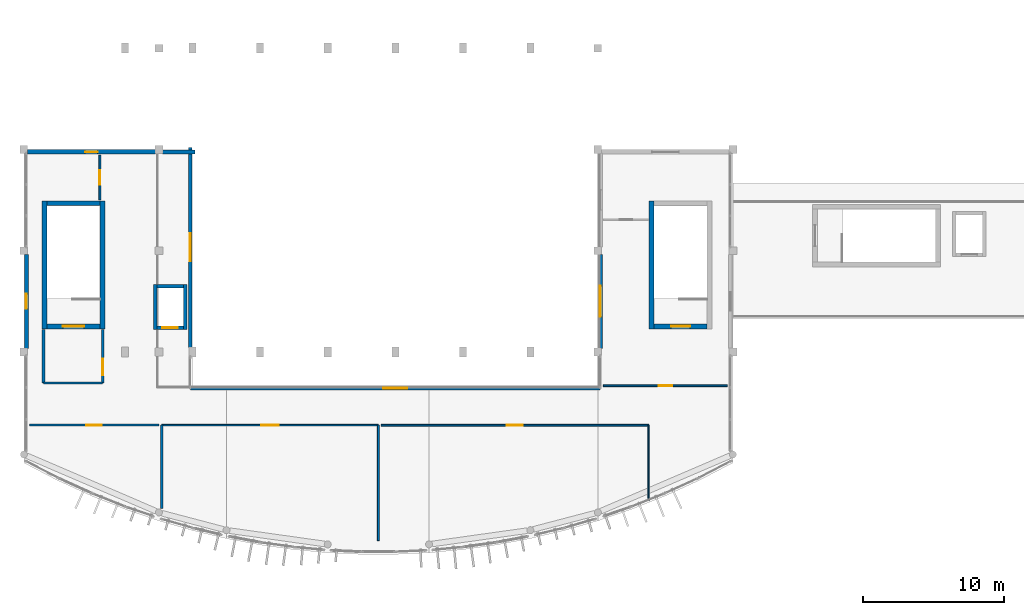
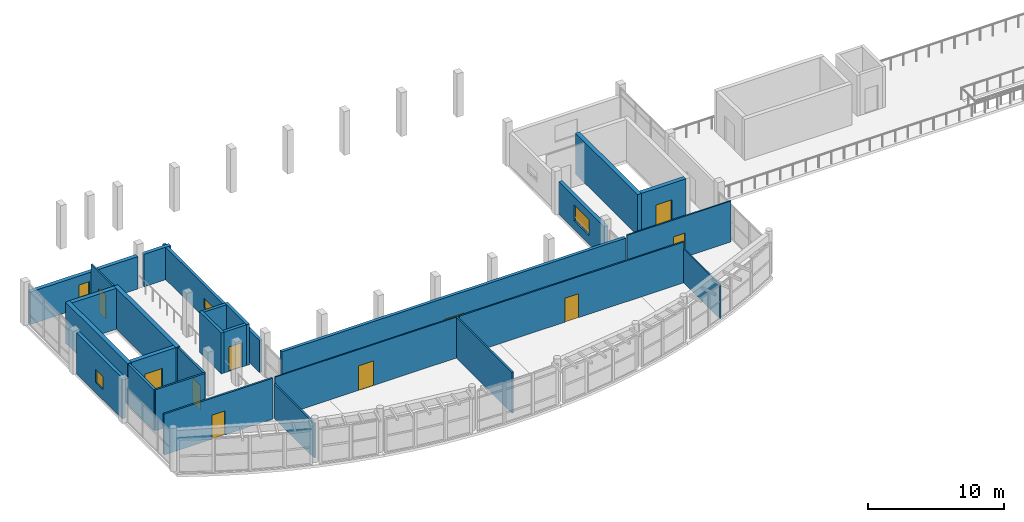
# One storey, part 20 of 32: 27 walls, 9 doors, 5 windows, 14 openings.
"""IFC4 building model written with IfcOpenShell, lengths in metres."""

from ifc_helpers import new_model, si_unit, direction, frame, frame_2d, origin, place, context, subcontext, project, spatial, rectangle, extrude, material, layer, layer_set, type_object, element, fill, save


model = new_model("IFC4")

# Units and contexts
model_context = context("Model", 3, precision=1e-05, world=origin(), true_north=direction((0.0, 1.0)))
body_context = subcontext(model_context, "Body", "Model", "MODEL_VIEW")
ifc_project = project(units=[si_unit("LENGTHUNIT", "METRE"), si_unit("AREAUNIT", "SQUARE_METRE"), si_unit("VOLUMEUNIT", "CUBIC_METRE"), si_unit("PLANEANGLEUNIT", "RADIAN"), si_unit("MASSUNIT", "GRAM", prefix="KILO")], contexts=[model_context])

# Site, building, storey
site_placement = place(None, origin())
site = spatial("IfcSite", under=ifc_project, at=site_placement, CompositionType="ELEMENT")
building_placement = place(site_placement, origin())
building = spatial("IfcBuilding", under=site, at=building_placement, Name="Brisavento Harbour Community Centre", CompositionType="ELEMENT")
storey_placement = place(building_placement, frame((0.0, 0.0, 12.89990234375)))
storey = spatial("IfcBuildingStorey", under=building, at=storey_placement, Name="L03", CompositionType="ELEMENT", Elevation=12.89990234375)

# Walls
ifc_material_1 = material(Name="Concrete C40/50", Category="concrete")
ifc_layer_1 = layer(ifc_material_1, 0.35009765625, Name="Concrete C40/50")
ifc_layer_set_1 = layer_set([ifc_layer_1], Name="Concrete C40/50")
wall_type_1 = type_object("IfcWallType", Name="WL-CORE-350", PredefinedType="SHEAR", material=ifc_layer_set_1)
for number, where, z_axis, x_axis, name in (
    (1, (5.574951171875, 16.050048828125, 0.0), (0.0, 0.0, 1.0), (0.0, 1.0, 0.0), "L03 core C1 shear wall L"),
    (2, (1.47509765625, 25.14990234375, 0.0), (0.0, 0.0, 1.0), (0.0, -1.0, 0.0), "L03 core C1 shear wall R"),
):
    element("IfcWall", number, at=place(storey_placement, frame(where, z_axis=z_axis, x_axis=x_axis)), inside=storey, type_object=wall_type_1, Name=name, PredefinedType="SHEAR", context=body_context, shape_type="SweptSolid", body=[
        extrude(rectangle(XDim=9.099853515625, YDim=0.35009765625, at=frame_2d((4.5498046875, 0.0))), origin(), (0.0, 0.0, 1.0), 3.66015625),
    ])
wall_1_placement = place(storey_placement, frame((5.39990234375, 24.97509765625, 0.0), z_axis=(0.0, 0.0, 1.0), x_axis=(-1.0, 0.0, 0.0)))
element("IfcWall", 3, at=wall_1_placement, inside=storey, type_object=wall_type_1, Name="L03 core C1 shear wall F", PredefinedType="SHEAR", context=body_context, shape_type="SweptSolid", body=[
    extrude(rectangle(XDim=3.75, YDim=0.35009765625, at=frame_2d((1.875, 0.0))), origin(), (0.0, 0.0, 1.0), 3.66015625),
])

# Wall, opening, door
wall_2_placement = place(storey_placement, frame((1.64990234375, 16.22509765625, 0.0), z_axis=(0.0, 0.0, 1.0), x_axis=(1.0, 0.0, 0.0)))
wall_2 = element("IfcWall", 4, at=wall_2_placement, inside=storey, type_object=wall_type_1, Name="L03 core C1 shear wall N", PredefinedType="SHEAR", context=body_context, shape_type="SweptSolid", body=[
    extrude(rectangle(XDim=3.75, YDim=0.35009765625, at=frame_2d((1.875, 0.0))), origin(), (0.0, 0.0, 1.0), 3.66015625),
])
opening_1_placement = place(wall_2_placement, frame((1.125, 0.0, 0.0)))
opening_1 = element("IfcOpeningElement", 5, at=opening_1_placement, cuts=wall_2, Name="Opening SD-01", PredefinedType="OPENING", context=body_context, shape_type="SweptSolid", body=[
    extrude(rectangle(XDim=1.5, YDim=2.199951171875, at=frame_2d((0.75, 1.10009765625))), frame((0.0, 0.18505859375, 0.0), z_axis=(0.0, -1.0, 0.0), x_axis=(1.0, 0.0, 0.0)), (0.0, 0.0, 1.0), 0.3701171875),
])
ifc_material_2 = material(Name="Fire-rated steel door assembly", Category="steel")
door_type_1 = type_object("IfcDoorType", Name="DR-STAIR-150x220", OperationType="NOTDEFINED", PredefinedType="DOOR", material=ifc_material_2)
door_1_placement = place(opening_1_placement, origin())
door_1 = element("IfcDoor", 6, at=door_1_placement, inside=storey, type_object=door_type_1, Name="L03 exit stair ST-01 fire door", OperationType="SINGLE_SWING_RIGHT", OverallHeight=2.199951171875, OverallWidth=1.5, PredefinedType="DOOR", context=body_context, shape_type="SweptSolid", body=[
    extrude(rectangle(XDim=1.5, YDim=2.199951171875, at=frame_2d((0.75, 1.10009765625))), frame((0.0, 0.02490234375, 0.0), z_axis=(0.0, -1.0, 0.0), x_axis=(1.0, 0.0, 0.0)), (0.0, 0.0, 1.0), 0.050048828125),
])
fill(opening_1, door_1)

# Wall
wall_3_placement = place(storey_placement, frame((44.625, 25.14990234375, 0.0), z_axis=(0.0, 0.0, 1.0), x_axis=(0.0, -1.0, 0.0)))
element("IfcWall", 7, at=wall_3_placement, inside=storey, type_object=wall_type_1, Name="L03 core C1B shear wall R", PredefinedType="SHEAR", context=body_context, shape_type="SweptSolid", body=[
    extrude(rectangle(XDim=9.099853515625, YDim=0.35009765625, at=frame_2d((4.5498046875, 0.0))), origin(), (0.0, 0.0, 1.0), 3.66015625),
])

# Wall, opening, door
wall_4_placement = place(storey_placement, frame((44.800048828125, 16.22509765625, 0.0), z_axis=(0.0, 0.0, 1.0), x_axis=(1.0, 0.0, 0.0)))
wall_4 = element("IfcWall", 8, at=wall_4_placement, inside=storey, type_object=wall_type_1, Name="L03 core C1B shear wall N", PredefinedType="SHEAR", context=body_context, shape_type="SweptSolid", body=[
    extrude(rectangle(XDim=3.75, YDim=0.35009765625, at=frame_2d((1.875, 0.0))), origin(), (0.0, 0.0, 1.0), 3.66015625),
])
opening_2_placement = place(wall_4_placement, frame((1.199951171875, 0.0, 0.0)))
opening_2 = element("IfcOpeningElement", 9, at=opening_2_placement, cuts=wall_4, Name="Opening SD-02", PredefinedType="OPENING", context=body_context, shape_type="SweptSolid", body=[
    extrude(rectangle(XDim=1.35009765625, YDim=2.199951171875, at=frame_2d((0.675048828125, 1.10009765625))), frame((0.0, 0.18505859375, 0.0), z_axis=(0.0, -1.0, 0.0), x_axis=(1.0, 0.0, 0.0)), (0.0, 0.0, 1.0), 0.3701171875),
])
door_type_2 = type_object("IfcDoorType", Name="DR-STAIR-135x220", OperationType="NOTDEFINED", PredefinedType="DOOR", material=ifc_material_2)
door_2_placement = place(opening_2_placement, origin())
door_2 = element("IfcDoor", 10, at=door_2_placement, inside=storey, type_object=door_type_2, Name="L03 exit stair ST-02 fire door", OperationType="SINGLE_SWING_LEFT", OverallHeight=2.199951171875, OverallWidth=1.35009765625, PredefinedType="DOOR", context=body_context, shape_type="SweptSolid", body=[
    extrude(rectangle(XDim=1.35009765625, YDim=2.199951171875, at=frame_2d((0.675048828125, 1.10009765625))), frame((0.0, 0.02490234375, 0.0), z_axis=(0.0, -1.0, 0.0), x_axis=(1.0, 0.0, 0.0)), (0.0, 0.0, 1.0), 0.050048828125),
])
fill(opening_2, door_2)

# Wall, opening, window
ifc_material_3 = material(Name="Terracotta masonry unit", Category="masonry")
ifc_layer_2 = layer(ifc_material_3, 0.239990234375, Name="Terracotta masonry unit")
ifc_layer_set_2 = layer_set([ifc_layer_2], Name="Terracotta masonry unit")
wall_type_2 = type_object("IfcWallType", Name="WL-EXT-240", PredefinedType="SOLIDWALL", material=ifc_layer_set_2)
wall_5_placement = place(storey_placement, frame((11.820068359375, 28.949951171875, 0.0), z_axis=(0.0, 0.0, 1.0), x_axis=(0.0, -1.0, 0.0)))
wall_5 = element("IfcWall", 11, at=wall_5_placement, inside=storey, type_object=wall_type_2, Name="L03 V1 exterior wall 0268", PredefinedType="SOLIDWALL", context=body_context, shape_type="SweptSolid", body=[
    extrude(rectangle(XDim=14.21484375, YDim=0.239990234375, at=frame_2d((7.107421875, 0.0))), origin(), (0.0, 0.0, 1.0), 2.900146484375),
])
opening_3_placement = place(wall_5_placement, frame((6.107421875, 0.0, 0.89990234375)))
opening_3 = element("IfcOpeningElement", 12, at=opening_3_placement, cuts=wall_5, Name="Opening W-36", PredefinedType="OPENING", context=body_context, shape_type="SweptSolid", body=[
    extrude(rectangle(XDim=2.0, YDim=0.85009765625, at=frame_2d((1.0, 0.425048828125))), frame((0.0, 0.1298828125, 0.0), z_axis=(0.0, -1.0, 0.0), x_axis=(1.0, 0.0, 0.0)), (0.0, 0.0, 1.0), 0.260009765625),
])
ifc_material_4 = material(Name="Solar-control laminated low-E glass", Category="glass")
window_type_1 = type_object("IfcWindowType", Name="WIN-CAS-36", PartitioningType="SINGLE_PANEL", PredefinedType="WINDOW", material=ifc_material_4)
window_1_placement = place(opening_3_placement, origin())
window_1 = element("IfcWindow", 13, at=window_1_placement, inside=storey, type_object=window_type_1, Name="L03 V1 impact casement window 0144", OverallHeight=0.85009765625, OverallWidth=2.0, PartitioningType="SINGLE_PANEL", PredefinedType="WINDOW", context=body_context, shape_type="SweptSolid", body=[
    extrude(rectangle(XDim=2.0, YDim=0.85009765625, at=frame_2d((1.0, 0.425048828125))), frame((0.0, 0.030029296875, 0.0), z_axis=(0.0, -1.0, 0.0), x_axis=(1.0, 0.0, 0.0)), (0.0, 0.0, 1.0), 0.06005859375),
])
fill(opening_3, window_1)

ifc_layer_3 = layer(ifc_material_3, 0.260009765625, Name="Terracotta masonry unit")
ifc_layer_set_3 = layer_set([ifc_layer_3], Name="Terracotta masonry unit")
wall_type_3 = type_object("IfcWallType", Name="WL-EXT-260", PredefinedType="SOLIDWALL", material=ifc_layer_set_3)
wall_6_placement = place(storey_placement, frame((11.85009765625, 11.820068359375, 0.0), z_axis=(0.0, 0.0, 1.0), x_axis=(1.0, 0.0, 0.0)))
wall_6 = element("IfcWall", 14, at=wall_6_placement, inside=storey, type_object=wall_type_3, Name="L03 V1 exterior wall 0267", PredefinedType="SOLIDWALL", context=body_context, shape_type="SweptSolid", body=[
    extrude(rectangle(XDim=29.099853515625, YDim=0.260009765625, at=frame_2d((14.5498046875, 0.0))), origin(), (0.0, 0.0, 1.0), 3.66015625),
])
opening_4_placement = place(wall_6_placement, frame((13.699951171875, 0.0, 0.89990234375)))
opening_4 = element("IfcOpeningElement", 15, at=opening_4_placement, cuts=wall_6, Name="Opening W-35", PredefinedType="OPENING", context=body_context, shape_type="SweptSolid", body=[
    extrude(rectangle(XDim=1.699951171875, YDim=0.85009765625, at=frame_2d((0.85009765625, 0.425048828125))), frame((0.0, 0.14013671875, 0.0), z_axis=(0.0, -1.0, 0.0), x_axis=(1.0, 0.0, 0.0)), (0.0, 0.0, 1.0), 0.280029296875),
])
window_type_2 = type_object("IfcWindowType", Name="WIN-CAS-35", PartitioningType="SINGLE_PANEL", PredefinedType="WINDOW", material=ifc_material_4)
window_2_placement = place(opening_4_placement, origin())
window_2 = element("IfcWindow", 16, at=window_2_placement, inside=storey, type_object=window_type_2, Name="L03 V1 impact casement window 0143", OverallHeight=0.85009765625, OverallWidth=1.699951171875, PartitioningType="SINGLE_PANEL", PredefinedType="WINDOW", context=body_context, shape_type="SweptSolid", body=[
    extrude(rectangle(XDim=1.699951171875, YDim=0.85009765625, at=frame_2d((0.85009765625, 0.425048828125))), frame((0.0, 0.030029296875, 0.0), z_axis=(0.0, -1.0, 0.0), x_axis=(1.0, 0.0, 0.0)), (0.0, 0.0, 1.0), 0.06005859375),
])
fill(opening_4, window_2)

ifc_material_5 = material(Name="Precast concrete C40/50", Category="concrete")
ifc_layer_4 = layer(ifc_material_5, 0.280029296875, Name="Precast concrete C40/50")
ifc_layer_set_4 = layer_set([ifc_layer_4], Name="Precast concrete C40/50")
wall_type_4 = type_object("IfcWallType", Name="WL-EXT-280", PredefinedType="SOLIDWALL", material=ifc_layer_set_4)
wall_7_placement = place(storey_placement, frame((0.179931640625, 14.659912109375, 0.0), z_axis=(0.0, 0.0, 1.0), x_axis=(0.0, 1.0, 0.0)))
wall_7 = element("IfcWall", 17, at=wall_7_placement, inside=storey, type_object=wall_type_4, Name="L03 V1 exterior wall 0271", PredefinedType="SOLIDWALL", context=body_context, shape_type="SweptSolid", body=[
    extrude(rectangle(XDim=6.68017578125, YDim=0.280029296875, at=frame_2d((3.340087890625, 0.0))), origin(), (0.0, 0.0, 1.0), 3.66015625),
])
opening_5_placement = place(wall_7_placement, frame((2.81494140625, 0.0, 0.89990234375)))
opening_5 = element("IfcOpeningElement", 18, at=opening_5_placement, cuts=wall_7, Name="Opening W-02", PredefinedType="OPENING", context=body_context, shape_type="SweptSolid", body=[
    extrude(rectangle(XDim=1.050048828125, YDim=1.199951171875, at=frame_2d((0.52490234375, 0.60009765625))), frame((0.0, 0.14990234375, 0.0), z_axis=(0.0, -1.0, 0.0), x_axis=(1.0, 0.0, 0.0)), (0.0, 0.0, 1.0), 0.300048828125),
])
window_type_3 = type_object("IfcWindowType", Name="WIN-CAS-02", PartitioningType="SINGLE_PANEL", PredefinedType="WINDOW", material=ifc_material_4)
window_3_placement = place(opening_5_placement, origin())
window_3 = element("IfcWindow", 19, at=window_3_placement, inside=storey, type_object=window_type_3, Name="L03 V1 impact casement window 0146", OverallHeight=1.199951171875, OverallWidth=1.050048828125, PartitioningType="SINGLE_PANEL", PredefinedType="WINDOW", context=body_context, shape_type="SweptSolid", body=[
    extrude(rectangle(XDim=1.050048828125, YDim=1.199951171875, at=frame_2d((0.52490234375, 0.60009765625))), frame((0.0, 0.030029296875, 0.0), z_axis=(0.0, -1.0, 0.0), x_axis=(1.0, 0.0, 0.0)), (0.0, 0.0, 1.0), 0.06005859375),
])
fill(opening_5, window_3)

ifc_material_6 = material(Name="Concrete C35/45", Category="concrete")
ifc_layer_5 = layer(ifc_material_6, 0.300048828125, Name="Concrete C35/45")
ifc_layer_set_5 = layer_set([ifc_layer_5], Name="Concrete C35/45")
wall_type_5 = type_object("IfcWallType", Name="WL-EXT-300", PredefinedType="SOLIDWALL", material=ifc_layer_set_5)
wall_8_placement = place(storey_placement, frame((40.97998046875, 14.659912109375, 0.0), z_axis=(0.0, 0.0, 1.0), x_axis=(0.0, 1.0, 0.0)))
wall_8 = element("IfcWall", 20, at=wall_8_placement, inside=storey, type_object=wall_type_5, Name="L03 V1 exterior wall 0265", PredefinedType="SOLIDWALL", context=body_context, shape_type="SweptSolid", body=[
    extrude(rectangle(XDim=6.68017578125, YDim=0.300048828125, at=frame_2d((3.340087890625, 0.0))), origin(), (0.0, 0.0, 1.0), 2.900146484375),
])
opening_6_placement = place(wall_8_placement, frame((2.239990234375, 0.0, 0.75)))
opening_6 = element("IfcOpeningElement", 21, at=opening_6_placement, cuts=wall_8, Name="Opening W-33", PredefinedType="OPENING", context=body_context, shape_type="SweptSolid", body=[
    extrude(rectangle(XDim=2.199951171875, YDim=1.449951171875, at=frame_2d((1.10009765625, 0.72509765625))), frame((0.0, 0.16015625, 0.0), z_axis=(0.0, -1.0, 0.0), x_axis=(1.0, 0.0, 0.0)), (0.0, 0.0, 1.0), 0.320068359375),
])
window_type_4 = type_object("IfcWindowType", Name="WIN-CAS-33", PartitioningType="SINGLE_PANEL", PredefinedType="WINDOW", material=ifc_material_4)
window_4_placement = place(opening_6_placement, origin())
window_4 = element("IfcWindow", 22, at=window_4_placement, inside=storey, type_object=window_type_4, Name="L03 V1 impact casement window 0141", OverallHeight=1.449951171875, OverallWidth=2.199951171875, PartitioningType="SINGLE_PANEL", PredefinedType="WINDOW", context=body_context, shape_type="SweptSolid", body=[
    extrude(rectangle(XDim=2.199951171875, YDim=1.449951171875, at=frame_2d((1.10009765625, 0.72509765625))), frame((0.0, 0.030029296875, 0.0), z_axis=(0.0, -1.0, 0.0), x_axis=(1.0, 0.0, 0.0)), (0.0, 0.0, 1.0), 0.06005859375),
])
fill(opening_6, window_4)

# Wall
wall_9_placement = place(storey_placement, frame((9.860107421875, 28.6201171875, 0.0), z_axis=(0.0, 0.0, 1.0), x_axis=(1.0, 0.0, 0.0)))
element("IfcWall", 23, at=wall_9_placement, inside=storey, type_object=wall_type_5, Name="L03 V1 exterior wall 0270", PredefinedType="SOLIDWALL", context=body_context, shape_type="SweptSolid", body=[
    extrude(rectangle(XDim=2.289794921875, YDim=0.300048828125, at=frame_2d((1.14501953125, 0.0))), origin(), (0.0, 0.0, 1.0), 2.900146484375),
])

# Wall, opening, window
ifc_layer_6 = layer(ifc_material_6, 0.320068359375, Name="Concrete C35/45")
ifc_layer_set_6 = layer_set([ifc_layer_6], Name="Concrete C35/45")
wall_type_6 = type_object("IfcWallType", Name="WL-EXT-320", PredefinedType="SOLIDWALL", material=ifc_layer_set_6)
wall_10_placement = place(storey_placement, frame((0.260009765625, 28.6201171875, 0.0), z_axis=(0.0, 0.0, 1.0), x_axis=(1.0, 0.0, 0.0)))
wall_10 = element("IfcWall", 24, at=wall_10_placement, inside=storey, type_object=wall_type_6, Name="L03 V1 exterior wall 0269", PredefinedType="SOLIDWALL", context=body_context, shape_type="SweptSolid", body=[
    extrude(rectangle(XDim=9.080078125, YDim=0.320068359375, at=frame_2d((4.5400390625, 0.0))), origin(), (0.0, 0.0, 1.0), 2.900146484375),
])
opening_7_placement = place(wall_10_placement, frame((4.090087890625, 0.0, 0.89990234375)))
opening_7 = element("IfcOpeningElement", 25, at=opening_7_placement, cuts=wall_10, Name="Opening W-01", PredefinedType="OPENING", context=body_context, shape_type="SweptSolid", body=[
    extrude(rectangle(XDim=0.89990234375, YDim=1.199951171875, at=frame_2d((0.449951171875, 0.60009765625))), frame((0.0, 0.169921875, 0.0), z_axis=(0.0, -1.0, 0.0), x_axis=(1.0, 0.0, 0.0)), (0.0, 0.0, 1.0), 0.340087890625),
])
window_type_5 = type_object("IfcWindowType", Name="WIN-CAS-01", PartitioningType="SINGLE_PANEL", PredefinedType="WINDOW", material=ifc_material_4)
window_5_placement = place(opening_7_placement, origin())
window_5 = element("IfcWindow", 26, at=window_5_placement, inside=storey, type_object=window_type_5, Name="L03 V1 impact casement window 0145", OverallHeight=1.199951171875, OverallWidth=0.89990234375, PartitioningType="SINGLE_PANEL", PredefinedType="WINDOW", context=body_context, shape_type="SweptSolid", body=[
    extrude(rectangle(XDim=0.89990234375, YDim=1.199951171875, at=frame_2d((0.449951171875, 0.60009765625))), frame((0.0, 0.030029296875, 0.0), z_axis=(0.0, -1.0, 0.0), x_axis=(1.0, 0.0, 0.0)), (0.0, 0.0, 1.0), 0.06005859375),
])
fill(opening_7, window_5)

# Wall
ifc_material_7 = material(Name="Concrete masonry blockwork", Category="masonry")
ifc_layer_7 = layer(ifc_material_7, 0.199951171875, Name="Concrete masonry blockwork")
ifc_layer_set_7 = layer_set([ifc_layer_7], Name="Concrete masonry blockwork")
wall_type_7 = type_object("IfcWallType", Name="WL-FIR-200", PredefinedType="PARTITIONING", material=ifc_layer_set_7)
wall_11_placement = place(storey_placement, frame((1.39990234375, 15.989990234375, 0.0), z_axis=(0.0, 0.0, 1.0), x_axis=(0.0, -1.0, 0.0)))
element("IfcWall", 27, at=wall_11_placement, inside=storey, type_object=wall_type_7, Name="L03 Firefighting Lobby L03 partition 0246", PredefinedType="PARTITIONING", context=body_context, shape_type="SweptSolid", body=[
    extrude(rectangle(XDim=3.7900390625, YDim=0.199951171875, at=frame_2d((1.89501953125, 0.0))), origin(), (0.0, 0.0, 1.0), 3.66015625),
])

# Wall, opening, door
ifc_material_8 = material(Name="Lightweight stud partition", Category="other")
ifc_layer_8 = layer(ifc_material_8, 0.10009765625, Name="Lightweight stud partition")
ifc_layer_set_8 = layer_set([ifc_layer_8], Name="Lightweight stud partition")
wall_type_8 = type_object("IfcWallType", Name="WL-PRT-100", PredefinedType="PARTITIONING", material=ifc_layer_set_8)
wall_12_placement = place(storey_placement, frame((25.199951171875, 9.199951171875, 0.0), z_axis=(0.0, 0.0, 1.0), x_axis=(-1.0, 0.0, 0.0)))
wall_12 = element("IfcWall", 28, at=wall_12_placement, inside=storey, type_object=wall_type_8, Name="L03 Community Clubroom 301 partition 0247", PredefinedType="PARTITIONING", context=body_context, shape_type="SweptSolid", body=[
    extrude(rectangle(XDim=15.39990234375, YDim=0.10009765625, at=frame_2d((7.699951171875, 0.0))), origin(), (0.0, 0.0, 1.0), 3.66015625),
])
opening_8_placement = place(wall_12_placement, frame((7.074951171875, 0.0, 0.0)))
opening_8 = element("IfcOpeningElement", 29, at=opening_8_placement, cuts=wall_12, Name="Opening ID-06", PredefinedType="OPENING", context=body_context, shape_type="SweptSolid", body=[
    extrude(rectangle(XDim=1.25, YDim=2.199951171875, at=frame_2d((0.625, 1.10009765625))), frame((0.0, 0.06005859375, 0.0), z_axis=(0.0, -1.0, 0.0), x_axis=(1.0, 0.0, 0.0)), (0.0, 0.0, 1.0), 0.1201171875),
])
ifc_material_9 = material(Name="Solid-core tropical timber door", Category="wood")
door_type_3 = type_object("IfcDoorType", Name="DR-INT-125x220", OperationType="NOTDEFINED", PredefinedType="DOOR", material=ifc_material_9)
door_3_placement = place(opening_8_placement, origin())
door_3 = element("IfcDoor", 30, at=door_3_placement, inside=storey, type_object=door_type_3, Name="L03 Community Clubroom 301 door 0094", OperationType="SINGLE_SWING_LEFT", OverallHeight=2.199951171875, OverallWidth=1.25, PredefinedType="DOOR", context=body_context, shape_type="SweptSolid", body=[
    extrude(rectangle(XDim=1.25, YDim=2.199951171875, at=frame_2d((0.625, 1.10009765625))), frame((0.0, 0.02490234375, 0.0), z_axis=(0.0, -1.0, 0.0), x_axis=(1.0, 0.0, 0.0)), (0.0, 0.0, 1.0), 0.050048828125),
])
fill(opening_8, door_3)

# Wall
wall_13_placement = place(storey_placement, frame((44.39990234375, 3.84228515625, 0.0), z_axis=(0.0, 0.0, 1.0), x_axis=(0.0, 1.0, 0.0)))
element("IfcWall", 31, at=wall_13_placement, inside=storey, type_object=wall_type_8, Name="L03 Harbour Terrace Lounge West partition 0251", PredefinedType="PARTITIONING", context=body_context, shape_type="SweptSolid", body=[
    extrude(rectangle(XDim=5.357666015625, YDim=0.10009765625, at=frame_2d((2.6787109375, 0.0))), origin(), (0.0, 0.0, 1.0), 3.06005859375),
])

# Wall, opening, door
ifc_material_10 = material(Name="Gypsum metal-stud partition", Category="other")
ifc_layer_9 = layer(ifc_material_10, 0.1201171875, Name="Gypsum metal-stud partition")
ifc_layer_set_9 = layer_set([ifc_layer_9], Name="Gypsum metal-stud partition")
wall_type_9 = type_object("IfcWallType", Name="WL-PRT-120", PredefinedType="PARTITIONING", material=ifc_layer_set_9)
wall_14_placement = place(storey_placement, frame((44.39990234375, 9.199951171875, 0.0), z_axis=(0.0, 0.0, 1.0), x_axis=(-1.0, 0.0, 0.0)))
wall_14 = element("IfcWall", 32, at=wall_14_placement, inside=storey, type_object=wall_type_9, Name="L03 Harbour Terrace Lounge West partition 0250", PredefinedType="PARTITIONING", context=body_context, shape_type="SweptSolid", body=[
    extrude(rectangle(XDim=19.0, YDim=0.1201171875, at=frame_2d((9.5, 0.0))), origin(), (0.0, 0.0, 1.0), 3.66015625),
])
opening_9_placement = place(wall_14_placement, frame((8.925048828125, 0.0, 0.0)))
opening_9 = element("IfcOpeningElement", 33, at=opening_9_placement, cuts=wall_14, Name="Opening ID-07", PredefinedType="OPENING", context=body_context, shape_type="SweptSolid", body=[
    extrude(rectangle(XDim=1.14990234375, YDim=2.14990234375, at=frame_2d((0.574951171875, 1.074951171875))), frame((0.0, 0.070068359375, 0.0), z_axis=(0.0, -1.0, 0.0), x_axis=(1.0, 0.0, 0.0)), (0.0, 0.0, 1.0), 0.14013671875),
])
door_type_4 = type_object("IfcDoorType", Name="DR-INT-115x215", OperationType="NOTDEFINED", PredefinedType="DOOR", material=ifc_material_9)
door_4_placement = place(opening_9_placement, origin())
door_4 = element("IfcDoor", 34, at=door_4_placement, inside=storey, type_object=door_type_4, Name="L03 Harbour Terrace Lounge West door 0095", OperationType="SINGLE_SWING_RIGHT", OverallHeight=2.14990234375, OverallWidth=1.14990234375, PredefinedType="DOOR", context=body_context, shape_type="SweptSolid", body=[
    extrude(rectangle(XDim=1.14990234375, YDim=2.14990234375, at=frame_2d((0.574951171875, 1.074951171875))), frame((0.0, 0.02490234375, 0.0), z_axis=(0.0, -1.0, 0.0), x_axis=(1.0, 0.0, 0.0)), (0.0, 0.0, 1.0), 0.050048828125),
])
fill(opening_9, door_4)

wall_15_placement = place(storey_placement, frame((41.199951171875, 12.0, 0.0), z_axis=(0.0, 0.0, 1.0), x_axis=(1.0, 0.0, 0.0)))
wall_15 = element("IfcWall", 35, at=wall_15_placement, inside=storey, type_object=wall_type_9, Name="L03 Senior Citizens Day Lounge partition 0254", PredefinedType="PARTITIONING", context=body_context, shape_type="SweptSolid", body=[
    extrude(rectangle(XDim=8.800048828125, YDim=0.1201171875, at=frame_2d((4.39990234375, 0.0))), origin(), (0.0, 0.0, 1.0), 3.66015625),
])
opening_10_placement = place(wall_15_placement, frame((3.925048828125, 0.0, 0.0)))
opening_10 = element("IfcOpeningElement", 36, at=opening_10_placement, cuts=wall_15, Name="Opening ID-10", PredefinedType="OPENING", context=body_context, shape_type="SweptSolid", body=[
    extrude(rectangle(XDim=0.949951171875, YDim=2.14990234375, at=frame_2d((0.47509765625, 1.074951171875))), frame((0.0, 0.070068359375, 0.0), z_axis=(0.0, -1.0, 0.0), x_axis=(1.0, 0.0, 0.0)), (0.0, 0.0, 1.0), 0.14013671875),
])
door_type_5 = type_object("IfcDoorType", Name="DR-INT-095x215", OperationType="NOTDEFINED", PredefinedType="DOOR", material=ifc_material_9)
door_5_placement = place(opening_10_placement, origin())
door_5 = element("IfcDoor", 37, at=door_5_placement, inside=storey, type_object=door_type_5, Name="L03 Senior Citizens Day Lounge door 0098", OperationType="SINGLE_SWING_LEFT", OverallHeight=2.14990234375, OverallWidth=0.949951171875, PredefinedType="DOOR", context=body_context, shape_type="SweptSolid", body=[
    extrude(rectangle(XDim=0.949951171875, YDim=2.14990234375, at=frame_2d((0.47509765625, 1.074951171875))), frame((0.0, 0.02490234375, 0.0), z_axis=(0.0, -1.0, 0.0), x_axis=(1.0, 0.0, 0.0)), (0.0, 0.0, 1.0), 0.050048828125),
])
fill(opening_10, door_5)

# Wall
ifc_layer_10 = layer(ifc_material_10, 0.139892578125, Name="Gypsum metal-stud partition")
ifc_layer_set_10 = layer_set([ifc_layer_10], Name="Gypsum metal-stud partition")
wall_type_10 = type_object("IfcWallType", Name="WL-PRT-140", PredefinedType="PARTITIONING", material=ifc_layer_set_10)
wall_16_placement = place(storey_placement, frame((25.199951171875, 1.0, 0.0), z_axis=(0.0, 0.0, 1.0), x_axis=(0.0, 1.0, 0.0)))
element("IfcWall", 38, at=wall_16_placement, inside=storey, type_object=wall_type_10, Name="L03 Community Clubroom 301 partition 0249", PredefinedType="PARTITIONING", context=body_context, shape_type="SweptSolid", body=[
    extrude(rectangle(XDim=8.199951171875, YDim=0.139892578125, at=frame_2d((4.10009765625, 0.0))), origin(), (0.0, 0.0, 1.0), 3.66015625),
])

# Wall, opening, door
wall_17_placement = place(storey_placement, frame((5.39990234375, 25.2099609375, 0.0), z_axis=(0.0, 0.0, 1.0), x_axis=(0.0, 1.0, 0.0)))
wall_17 = element("IfcWall", 39, at=wall_17_placement, inside=storey, type_object=wall_type_10, Name="L03 Social Services Advisory Room partition 0253", PredefinedType="PARTITIONING", context=body_context, shape_type="SweptSolid", body=[
    extrude(rectangle(XDim=3.18994140625, YDim=0.139892578125, at=frame_2d((1.594970703125, 0.0))), origin(), (0.0, 0.0, 1.0), 3.66015625),
])
opening_11_placement = place(wall_17_placement, frame((1.094970703125, 0.0, 0.0)))
opening_11 = element("IfcOpeningElement", 40, at=opening_11_placement, cuts=wall_17, Name="Opening ID-09", PredefinedType="OPENING", context=body_context, shape_type="SweptSolid", body=[
    extrude(rectangle(XDim=1.0, YDim=2.14990234375, at=frame_2d((0.5, 1.074951171875))), frame((0.0, 0.080078125, 0.0), z_axis=(0.0, -1.0, 0.0), x_axis=(1.0, 0.0, 0.0)), (0.0, 0.0, 1.0), 0.159912109375),
])
door_type_6 = type_object("IfcDoorType", Name="DR-INT-100x215", OperationType="NOTDEFINED", PredefinedType="DOOR", material=ifc_material_9)
door_6_placement = place(opening_11_placement, origin())
door_6 = element("IfcDoor", 41, at=door_6_placement, inside=storey, type_object=door_type_6, Name="L03 Social Services Advisory Room door 0097", OperationType="SINGLE_SWING_RIGHT", OverallHeight=2.14990234375, OverallWidth=1.0, PredefinedType="DOOR", context=body_context, shape_type="SweptSolid", body=[
    extrude(rectangle(XDim=1.0, YDim=2.14990234375, at=frame_2d((0.5, 1.074951171875))), frame((0.0, 0.02490234375, 0.0), z_axis=(0.0, -1.0, 0.0), x_axis=(1.0, 0.0, 0.0)), (0.0, 0.0, 1.0), 0.050048828125),
])
fill(opening_11, door_6)

# Wall
ifc_material_11 = material(Name="Moisture-resistant stud partition", Category="other")
ifc_layer_11 = layer(ifc_material_11, 0.14990234375, Name="Moisture-resistant stud partition")
ifc_layer_set_11 = layer_set([ifc_layer_11], Name="Moisture-resistant stud partition")
wall_type_11 = type_object("IfcWallType", Name="WL-PRT-150", PredefinedType="PARTITIONING", material=ifc_layer_set_11)
wall_18_placement = place(storey_placement, frame((9.800048828125, 9.199951171875, 0.0), z_axis=(0.0, 0.0, 1.0), x_axis=(0.0, -1.0, 0.0)))
element("IfcWall", 42, at=wall_18_placement, inside=storey, type_object=wall_type_11, Name="L03 Community Clubroom 301 partition 0248", PredefinedType="PARTITIONING", context=body_context, shape_type="SweptSolid", body=[
    extrude(rectangle(XDim=5.914794921875, YDim=0.14990234375, at=frame_2d((2.95751953125, 0.0))), origin(), (0.0, 0.0, 1.0), 3.06005859375),
])

# Wall, opening, door
wall_19_placement = place(storey_placement, frame((9.60009765625, 9.199951171875, 0.0), z_axis=(0.0, 0.0, 1.0), x_axis=(-1.0, 0.0, 0.0)))
wall_19 = element("IfcWall", 43, at=wall_19_placement, inside=storey, type_object=wall_type_11, Name="L03 Neighbourhood Reading Salon West partition 0252", PredefinedType="PARTITIONING", context=body_context, shape_type="SweptSolid", body=[
    extrude(rectangle(XDim=9.2001953125, YDim=0.14990234375, at=frame_2d((4.60009765625, 0.0))), origin(), (0.0, 0.0, 1.0), 3.66015625),
])
opening_12_placement = place(wall_19_placement, frame((4.050048828125, 0.0, 0.0)))
opening_12 = element("IfcOpeningElement", 44, at=opening_12_placement, cuts=wall_19, Name="Opening ID-08", PredefinedType="OPENING", context=body_context, shape_type="SweptSolid", body=[
    extrude(rectangle(XDim=1.10009765625, YDim=2.14990234375, at=frame_2d((0.550048828125, 1.074951171875))), frame((0.0, 0.0849609375, 0.0), z_axis=(0.0, -1.0, 0.0), x_axis=(1.0, 0.0, 0.0)), (0.0, 0.0, 1.0), 0.169921875),
])
door_type_7 = type_object("IfcDoorType", Name="DR-INT-110x215", OperationType="NOTDEFINED", PredefinedType="DOOR", material=ifc_material_9)
door_7_placement = place(opening_12_placement, origin())
door_7 = element("IfcDoor", 45, at=door_7_placement, inside=storey, type_object=door_type_7, Name="L03 Neighbourhood Reading Salon West door 0096", OperationType="SINGLE_SWING_LEFT", OverallHeight=2.14990234375, OverallWidth=1.10009765625, PredefinedType="DOOR", context=body_context, shape_type="SweptSolid", body=[
    extrude(rectangle(XDim=1.10009765625, YDim=2.14990234375, at=frame_2d((0.550048828125, 1.074951171875))), frame((0.0, 0.02490234375, 0.0), z_axis=(0.0, -1.0, 0.0), x_axis=(1.0, 0.0, 0.0)), (0.0, 0.0, 1.0), 0.050048828125),
])
fill(opening_12, door_7)

# Wall
ifc_material_12 = material(Name="Acoustic gypsum stud partition", Category="other")
ifc_layer_12 = layer(ifc_material_12, 0.159912109375, Name="Acoustic gypsum stud partition")
ifc_layer_set_12 = layer_set([ifc_layer_12], Name="Acoustic gypsum stud partition")
wall_type_12 = type_object("IfcWallType", Name="WL-PRT-160", PredefinedType="PARTITIONING", material=ifc_layer_set_12)
wall_20_placement = place(storey_placement, frame((1.39990234375, 12.199951171875, 0.0), z_axis=(0.0, 0.0, 1.0), x_axis=(1.0, 0.0, 0.0)))
element("IfcWall", 46, at=wall_20_placement, inside=storey, type_object=wall_type_12, Name="L03 Firefighting Lobby L03 partition 0245", PredefinedType="PARTITIONING", context=body_context, shape_type="SweptSolid", body=[
    extrude(rectangle(XDim=4.2001953125, YDim=0.159912109375, at=frame_2d((2.10009765625, 0.0))), origin(), (0.0, 0.0, 1.0), 3.66015625),
])

# Wall, opening, door
ifc_layer_13 = layer(ifc_material_12, 0.179931640625, Name="Acoustic gypsum stud partition")
ifc_layer_set_13 = layer_set([ifc_layer_13], Name="Acoustic gypsum stud partition")
wall_type_13 = type_object("IfcWallType", Name="WL-PRT-180", PredefinedType="PARTITIONING", material=ifc_layer_set_13)
wall_21_placement = place(storey_placement, frame((5.60009765625, 12.199951171875, 0.0), z_axis=(0.0, 0.0, 1.0), x_axis=(0.0, 1.0, 0.0)))
wall_21 = element("IfcWall", 47, at=wall_21_placement, inside=storey, type_object=wall_type_13, Name="L03 Firefighting Lobby L03 partition 0244", PredefinedType="PARTITIONING", context=body_context, shape_type="SweptSolid", body=[
    extrude(rectangle(XDim=3.7900390625, YDim=0.179931640625, at=frame_2d((1.89501953125, 0.0))), origin(), (0.0, 0.0, 1.0), 3.66015625),
])
opening_13_placement = place(wall_21_placement, frame((0.537109375, 0.0, 0.0)))
opening_13 = element("IfcOpeningElement", 48, at=opening_13_placement, cuts=wall_21, Name="Opening FD-01", PredefinedType="OPENING", context=body_context, shape_type="SweptSolid", body=[
    extrude(rectangle(XDim=1.199951171875, YDim=2.199951171875, at=frame_2d((0.60009765625, 1.10009765625))), frame((0.0, 0.10009765625, 0.0), z_axis=(0.0, -1.0, 0.0), x_axis=(1.0, 0.0, 0.0)), (0.0, 0.0, 1.0), 0.199951171875),
])
ifc_material_13 = material(Name="Fire-rated hardwood door", Category="wood")
door_type_8 = type_object("IfcDoorType", Name="DR-FIRE-120x220", OperationType="NOTDEFINED", PredefinedType="DOOR", material=ifc_material_13)
door_8_placement = place(opening_13_placement, origin())
door_8 = element("IfcDoor", 49, at=door_8_placement, inside=storey, type_object=door_type_8, Name="L03 Firefighting Lobby L03 door 0093", OperationType="SINGLE_SWING_RIGHT", OverallHeight=2.199951171875, OverallWidth=1.199951171875, PredefinedType="DOOR", context=body_context, shape_type="SweptSolid", body=[
    extrude(rectangle(XDim=1.199951171875, YDim=2.199951171875, at=frame_2d((0.60009765625, 1.10009765625))), frame((0.0, 0.02490234375, 0.0), z_axis=(0.0, -1.0, 0.0), x_axis=(1.0, 0.0, 0.0)), (0.0, 0.0, 1.0), 0.050048828125),
])
fill(opening_13, door_8)

# Walls
ifc_layer_14 = layer(ifc_material_6, 0.25, Name="Concrete C35/45")
ifc_layer_set_14 = layer_set([ifc_layer_14], Name="Concrete C35/45")
wall_type_14 = type_object("IfcWallType", Name="WL-SHF-250", PredefinedType="SOLIDWALL", material=ifc_layer_set_14)
for number, where, z_axis, x_axis, name in (
    (50, (9.324951171875, 16.0, 0.0), (0.0, 0.0, 1.0), (0.0, 1.0, 0.0), "L03 lift LC-01 shaft wall W"),
    (51, (11.47509765625, 19.199951171875, 0.0), (0.0, 0.0, 1.0), (0.0, -1.0, 0.0), "L03 lift LC-01 shaft wall E"),
):
    element("IfcWall", number, at=place(storey_placement, frame(where, z_axis=z_axis, x_axis=x_axis)), inside=storey, type_object=wall_type_14, Name=name, PredefinedType="SOLIDWALL", context=body_context, shape_type="SweptSolid", body=[
        extrude(rectangle(XDim=3.199951171875, YDim=0.25, at=frame_2d((1.60009765625, 0.0))), origin(), (0.0, 0.0, 1.0), 3.66015625),
    ])

# Wall, opening, door
wall_22_placement = place(storey_placement, frame((9.449951171875, 16.125, 0.0), z_axis=(0.0, 0.0, 1.0), x_axis=(1.0, 0.0, 0.0)))
wall_22 = element("IfcWall", 52, at=wall_22_placement, inside=storey, type_object=wall_type_14, Name="L03 lift LC-01 shaft wall S", PredefinedType="SOLIDWALL", context=body_context, shape_type="SweptSolid", body=[
    extrude(rectangle(XDim=1.900146484375, YDim=0.25, at=frame_2d((0.9501953125, 0.0))), origin(), (0.0, 0.0, 1.0), 3.66015625),
])
opening_14_placement = place(wall_22_placement, frame((0.39990234375, 0.0, 0.0)))
opening_14 = element("IfcOpeningElement", 53, at=opening_14_placement, cuts=wall_22, Name="Opening LD-01", PredefinedType="OPENING", context=body_context, shape_type="SweptSolid", body=[
    extrude(rectangle(XDim=1.10009765625, YDim=2.199951171875, at=frame_2d((0.550048828125, 1.10009765625))), frame((0.0, 0.135009765625, 0.0), z_axis=(0.0, -1.0, 0.0), x_axis=(1.0, 0.0, 0.0)), (0.0, 0.0, 1.0), 0.27001953125),
])
ifc_material_14 = material(Name="Stainless steel 1.4401", Category="steel")
door_type_9 = type_object("IfcDoorType", Name="DR-LIFT-110x220", OperationType="DOUBLE_DOOR_SLIDING", PredefinedType="DOOR", material=ifc_material_14)
door_9_placement = place(opening_14_placement, origin())
door_9 = element("IfcDoor", 54, at=door_9_placement, inside=storey, type_object=door_type_9, Name="L03 lift LC-01 landing sliding door", OperationType="DOUBLE_DOOR_SLIDING", OverallHeight=2.199951171875, OverallWidth=1.10009765625, PredefinedType="DOOR", context=body_context, shape_type="SweptSolid", body=[
    extrude(rectangle(XDim=1.10009765625, YDim=2.199951171875, at=frame_2d((0.550048828125, 1.10009765625))), frame((0.0, 0.02490234375, 0.0), z_axis=(0.0, -1.0, 0.0), x_axis=(1.0, 0.0, 0.0)), (0.0, 0.0, 1.0), 0.050048828125),
])
fill(opening_14, door_9)

# Wall
wall_23_placement = place(storey_placement, frame((11.35009765625, 19.074951171875, 0.0), z_axis=(0.0, 0.0, 1.0), x_axis=(-1.0, 0.0, 0.0)))
element("IfcWall", 55, at=wall_23_placement, inside=storey, type_object=wall_type_14, Name="L03 lift LC-01 shaft wall N", PredefinedType="SOLIDWALL", context=body_context, shape_type="SweptSolid", body=[
    extrude(rectangle(XDim=1.900146484375, YDim=0.25, at=frame_2d((0.9501953125, 0.0))), origin(), (0.0, 0.0, 1.0), 3.66015625),
])

save(model, "model.ifc")
